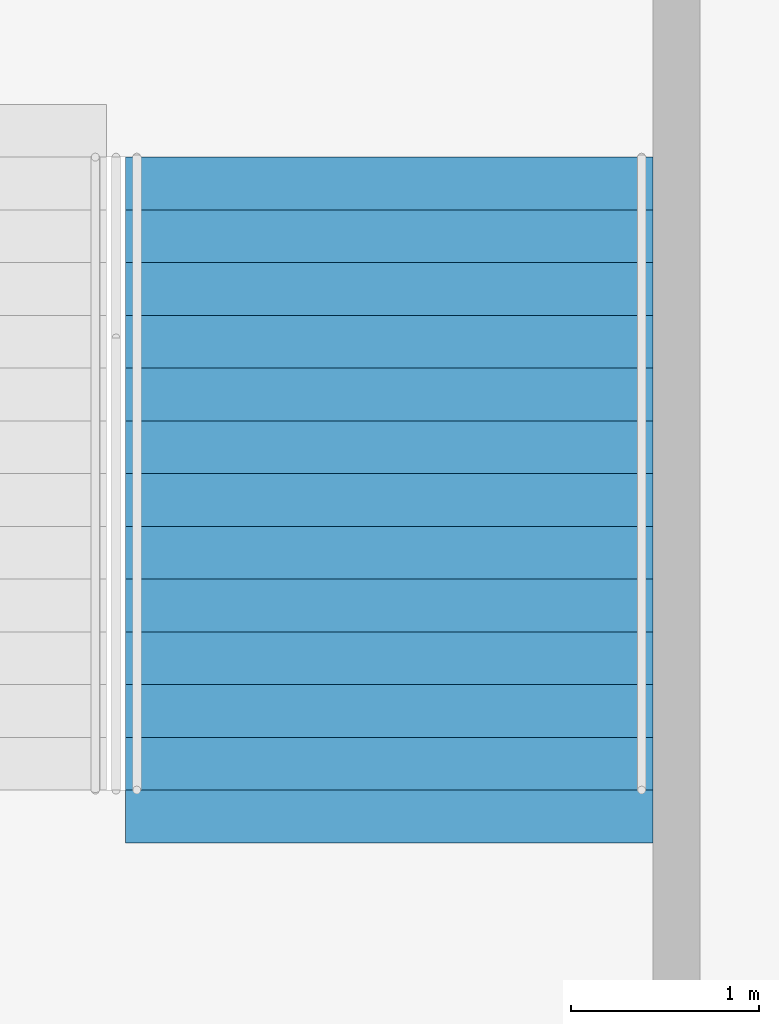
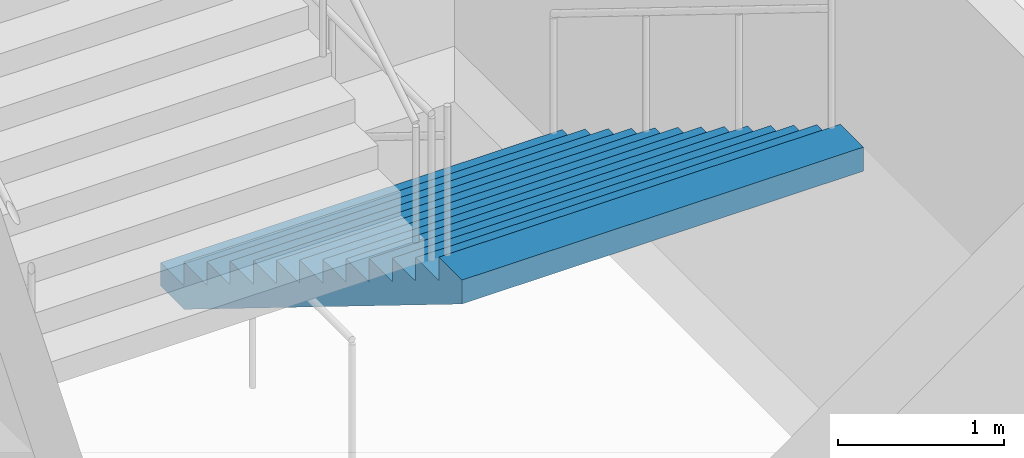
# One storey, part 120 of 199: 1 stair flight, 1 element without a shape of its own.
"""IFC4 building model written with IfcOpenShell, lengths in metres."""

from ifc_helpers import new_model, si_unit, direction, frame, origin, place, context, subcontext, project, spatial, faceted_brep, material, type_object, element, aggregate, save


model = new_model("IFC4")

# Units and contexts
model_context = context("Model", 3, precision=1e-05, world=origin(), true_north=direction((0.0, 1.0)))
body_context = subcontext(model_context, "Body", "Model", "MODEL_VIEW")
ifc_project = project(units=[si_unit("LENGTHUNIT", "METRE"), si_unit("AREAUNIT", "SQUARE_METRE"), si_unit("VOLUMEUNIT", "CUBIC_METRE"), si_unit("PLANEANGLEUNIT", "RADIAN"), si_unit("MASSUNIT", "GRAM", prefix="KILO")], contexts=[model_context])

# Site, building, storey
site_placement = place(None, origin())
site = spatial("IfcSite", under=ifc_project, at=site_placement, CompositionType="ELEMENT")
building_placement = place(site_placement, origin())
building = spatial("IfcBuilding", under=site, at=building_placement, Name="Ogive Plaza Stadium", CompositionType="ELEMENT")
storey_placement = place(building_placement, frame((0.0, 0.0, 9.0)))
storey = spatial("IfcBuildingStorey", under=building, at=storey_placement, Name="L02", CompositionType="ELEMENT", Elevation=9.0)

# Stair, stair flight
ifc_material_1 = material(Name="Concrete C40/50", Category="concrete")
stair_type = type_object("IfcStairType", Name="Exit stair", PredefinedType="STRAIGHT_RUN_STAIR", material=ifc_material_1)
stair_placement = place(storey_placement, origin())
stair = element("IfcStair", 1, at=stair_placement, inside=storey, type_object=stair_type, Name="Exit stair ST14B L02 to L03", PredefinedType="STRAIGHT_RUN_STAIR")
ifc_material_2 = material(Name="Concrete C40/50", Category="concrete")
stair_flight_type = type_object("IfcStairFlightType", Name="Exit stair flight", PredefinedType="STRAIGHT", material=ifc_material_2)
stair_flight_placement = place(storey_placement, frame((11.22509765625, -94.85009765625, 0.0), z_axis=(0.0, 0.0, 1.0), x_axis=(0.0, -1.0, 0.0)))
stair_flight = element("IfcStairFlight", 2, at=stair_flight_placement, type_object=stair_flight_type, Name="ST14B flight 1", NumberOfRisers=13, NumberOfTreads=12, PredefinedType="STRAIGHT", RiserHeight=0.173076923, TreadLength=0.28, context=body_context, shape_type="Brep", body=[
    faceted_brep([(0.28515625, -1.39990234375, 0.0), (3.639892578125, -1.39990234375, 2.07373046875), (3.639892578125, -1.39990234375, 2.25), (3.360107421875, -1.39990234375, 2.25), (3.360107421875, -1.39990234375, 2.076904296875), (3.080078125, -1.39990234375, 2.076904296875), (3.080078125, -1.39990234375, 1.90380859375), (2.800048828125, -1.39990234375, 1.90380859375), (2.800048828125, -1.39990234375, 1.730712890625), (2.52001953125, -1.39990234375, 1.730712890625), (2.52001953125, -1.39990234375, 1.5576171875), (2.239990234375, -1.39990234375, 1.5576171875), (2.239990234375, -1.39990234375, 1.384521484375), (1.9599609375, -1.39990234375, 1.384521484375), (1.9599609375, -1.39990234375, 1.21142578125), (1.679931640625, -1.39990234375, 1.21142578125), (1.679931640625, -1.39990234375, 1.03857421875), (1.39990234375, -1.39990234375, 1.03857421875), (1.39990234375, -1.39990234375, 0.865478515625), (1.1201171875, -1.39990234375, 0.865478515625), (1.1201171875, -1.39990234375, 0.6923828125), (0.840087890625, -1.39990234375, 0.6923828125), (0.840087890625, -1.39990234375, 0.519287109375), (0.56005859375, -1.39990234375, 0.519287109375), (0.56005859375, -1.39990234375, 0.34619140625), (0.280029296875, -1.39990234375, 0.34619140625), (0.280029296875, -1.39990234375, 0.173095703125), (0.0, -1.39990234375, 0.173095703125), (0.0, -1.39990234375, 0.0), (0.0, 1.39990234375, 0.0), (0.0, 1.39990234375, 0.173095703125), (0.280029296875, 1.39990234375, 0.173095703125), (0.280029296875, 1.39990234375, 0.34619140625), (0.56005859375, 1.39990234375, 0.34619140625), (0.56005859375, 1.39990234375, 0.519287109375), (0.840087890625, 1.39990234375, 0.519287109375), (0.840087890625, 1.39990234375, 0.6923828125), (1.1201171875, 1.39990234375, 0.6923828125), (1.1201171875, 1.39990234375, 0.865478515625), (1.39990234375, 1.39990234375, 0.865478515625), (1.39990234375, 1.39990234375, 1.03857421875), (1.679931640625, 1.39990234375, 1.03857421875), (1.679931640625, 1.39990234375, 1.21142578125), (1.9599609375, 1.39990234375, 1.21142578125), (1.9599609375, 1.39990234375, 1.384521484375), (2.239990234375, 1.39990234375, 1.384521484375), (2.239990234375, 1.39990234375, 1.5576171875), (2.52001953125, 1.39990234375, 1.5576171875), (2.52001953125, 1.39990234375, 1.730712890625), (2.800048828125, 1.39990234375, 1.730712890625), (2.800048828125, 1.39990234375, 1.90380859375), (3.080078125, 1.39990234375, 1.90380859375), (3.080078125, 1.39990234375, 2.076904296875), (3.360107421875, 1.39990234375, 2.076904296875), (3.360107421875, 1.39990234375, 2.25), (3.639892578125, 1.39990234375, 2.25), (3.639892578125, 1.39990234375, 2.07373046875), (0.28515625, 1.39990234375, 0.0), (0.28515625, -1.0888671875, 0.0), (3.639892578125, -1.0888671875, 2.07373046875), (0.28515625, -0.77783203125, 0.0), (3.639892578125, -0.77783203125, 2.07373046875), (0.28515625, -0.466796875, 0.0), (3.639892578125, -0.466796875, 2.07373046875), (0.28515625, -0.155517578125, 0.0), (3.639892578125, -0.155517578125, 2.07373046875), (0.28515625, 0.155517578125, 0.0), (3.639892578125, 0.155517578125, 2.07373046875), (0.28515625, 0.466796875, 0.0), (3.639892578125, 0.466796875, 2.07373046875), (0.28515625, 0.77783203125, 0.0), (3.639892578125, 0.77783203125, 2.07373046875), (0.28515625, 1.0888671875, 0.0), (3.639892578125, 1.0888671875, 2.07373046875), (3.639892578125, -1.0888671875, 2.25), (3.639892578125, -0.77783203125, 2.25), (3.639892578125, -0.466796875, 2.25), (3.639892578125, -0.155517578125, 2.25), (3.639892578125, 0.155517578125, 2.25), (3.639892578125, 0.466796875, 2.25), (3.639892578125, 0.77783203125, 2.25), (3.639892578125, 1.0888671875, 2.25), (3.360107421875, -1.0888671875, 2.25), (3.360107421875, -0.77783203125, 2.25), (3.360107421875, -0.466796875, 2.25), (3.360107421875, -0.155517578125, 2.25), (3.360107421875, 0.155517578125, 2.25), (3.360107421875, 0.466796875, 2.25), (3.360107421875, 0.77783203125, 2.25), (3.360107421875, 1.0888671875, 2.25), (3.360107421875, -1.0888671875, 2.076904296875), (3.360107421875, -0.77783203125, 2.076904296875), (3.360107421875, -0.466796875, 2.076904296875), (3.360107421875, -0.155517578125, 2.076904296875), (3.360107421875, 0.155517578125, 2.076904296875), (3.360107421875, 0.466796875, 2.076904296875), (3.360107421875, 0.77783203125, 2.076904296875), (3.360107421875, 1.0888671875, 2.076904296875), (3.080078125, -1.0888671875, 2.076904296875), (3.080078125, -0.77783203125, 2.076904296875), (3.080078125, -0.466796875, 2.076904296875), (3.080078125, -0.155517578125, 2.076904296875), (3.080078125, 0.155517578125, 2.076904296875), (3.080078125, 0.466796875, 2.076904296875), (3.080078125, 0.77783203125, 2.076904296875), (3.080078125, 1.0888671875, 2.076904296875), (3.080078125, -1.0888671875, 1.90380859375), (3.080078125, -0.77783203125, 1.90380859375), (3.080078125, -0.466796875, 1.90380859375), (3.080078125, -0.155517578125, 1.90380859375), (3.080078125, 0.155517578125, 1.90380859375), (3.080078125, 0.466796875, 1.90380859375), (3.080078125, 0.77783203125, 1.90380859375), (3.080078125, 1.0888671875, 1.90380859375), (2.800048828125, -1.0888671875, 1.90380859375), (2.800048828125, -0.77783203125, 1.90380859375), (2.800048828125, -0.466796875, 1.90380859375), (2.800048828125, -0.155517578125, 1.90380859375), (2.800048828125, 0.155517578125, 1.90380859375), (2.800048828125, 0.466796875, 1.90380859375), (2.800048828125, 0.77783203125, 1.90380859375), (2.800048828125, 1.0888671875, 1.90380859375), (2.800048828125, -1.0888671875, 1.730712890625), (2.800048828125, -0.77783203125, 1.730712890625), (2.800048828125, -0.466796875, 1.730712890625), (2.800048828125, -0.155517578125, 1.730712890625), (2.800048828125, 0.155517578125, 1.730712890625), (2.800048828125, 0.466796875, 1.730712890625), (2.800048828125, 0.77783203125, 1.730712890625), (2.800048828125, 1.0888671875, 1.730712890625), (2.52001953125, -1.0888671875, 1.730712890625), (2.52001953125, -0.77783203125, 1.730712890625), (2.52001953125, -0.466796875, 1.730712890625), (2.52001953125, -0.155517578125, 1.730712890625), (2.52001953125, 0.155517578125, 1.730712890625), (2.52001953125, 0.466796875, 1.730712890625), (2.52001953125, 0.77783203125, 1.730712890625), (2.52001953125, 1.0888671875, 1.730712890625), (2.52001953125, -1.0888671875, 1.5576171875), (2.52001953125, -0.77783203125, 1.5576171875), (2.52001953125, -0.466796875, 1.5576171875), (2.52001953125, -0.155517578125, 1.5576171875), (2.52001953125, 0.155517578125, 1.5576171875), (2.52001953125, 0.466796875, 1.5576171875), (2.52001953125, 0.77783203125, 1.5576171875), (2.52001953125, 1.0888671875, 1.5576171875), (2.239990234375, -1.0888671875, 1.5576171875), (2.239990234375, -0.77783203125, 1.5576171875), (2.239990234375, -0.466796875, 1.5576171875), (2.239990234375, -0.155517578125, 1.5576171875), (2.239990234375, 0.155517578125, 1.5576171875), (2.239990234375, 0.466796875, 1.5576171875), (2.239990234375, 0.77783203125, 1.5576171875), (2.239990234375, 1.0888671875, 1.5576171875), (2.239990234375, -1.0888671875, 1.384521484375), (2.239990234375, -0.77783203125, 1.384521484375), (2.239990234375, -0.466796875, 1.384521484375), (2.239990234375, -0.155517578125, 1.384521484375), (2.239990234375, 0.155517578125, 1.384521484375), (2.239990234375, 0.466796875, 1.384521484375), (2.239990234375, 0.77783203125, 1.384521484375), (2.239990234375, 1.0888671875, 1.384521484375), (1.9599609375, -1.0888671875, 1.384521484375), (1.9599609375, -0.77783203125, 1.384521484375), (1.9599609375, -0.466796875, 1.384521484375), (1.9599609375, -0.155517578125, 1.384521484375), (1.9599609375, 0.155517578125, 1.384521484375), (1.9599609375, 0.466796875, 1.384521484375), (1.9599609375, 0.77783203125, 1.384521484375), (1.9599609375, 1.0888671875, 1.384521484375), (1.9599609375, -1.0888671875, 1.21142578125), (1.9599609375, -0.77783203125, 1.21142578125), (1.9599609375, -0.466796875, 1.21142578125), (1.9599609375, -0.155517578125, 1.21142578125), (1.9599609375, 0.155517578125, 1.21142578125), (1.9599609375, 0.466796875, 1.21142578125), (1.9599609375, 0.77783203125, 1.21142578125), (1.9599609375, 1.0888671875, 1.21142578125), (1.679931640625, -1.0888671875, 1.21142578125), (1.679931640625, -0.77783203125, 1.21142578125), (1.679931640625, -0.466796875, 1.21142578125), (1.679931640625, -0.155517578125, 1.21142578125), (1.679931640625, 0.155517578125, 1.21142578125), (1.679931640625, 0.466796875, 1.21142578125), (1.679931640625, 0.77783203125, 1.21142578125), (1.679931640625, 1.0888671875, 1.21142578125), (1.679931640625, -1.0888671875, 1.03857421875), (1.679931640625, -0.77783203125, 1.03857421875), (1.679931640625, -0.466796875, 1.03857421875), (1.679931640625, -0.155517578125, 1.03857421875), (1.679931640625, 0.155517578125, 1.03857421875), (1.679931640625, 0.466796875, 1.03857421875), (1.679931640625, 0.77783203125, 1.03857421875), (1.679931640625, 1.0888671875, 1.03857421875), (1.39990234375, -1.0888671875, 1.03857421875), (1.39990234375, -0.77783203125, 1.03857421875), (1.39990234375, -0.466796875, 1.03857421875), (1.39990234375, -0.155517578125, 1.03857421875), (1.39990234375, 0.155517578125, 1.03857421875), (1.39990234375, 0.466796875, 1.03857421875), (1.39990234375, 0.77783203125, 1.03857421875), (1.39990234375, 1.0888671875, 1.03857421875), (1.39990234375, -1.0888671875, 0.865478515625), (1.39990234375, -0.77783203125, 0.865478515625), (1.39990234375, -0.466796875, 0.865478515625), (1.39990234375, -0.155517578125, 0.865478515625), (1.39990234375, 0.155517578125, 0.865478515625), (1.39990234375, 0.466796875, 0.865478515625), (1.39990234375, 0.77783203125, 0.865478515625), (1.39990234375, 1.0888671875, 0.865478515625), (1.1201171875, -1.0888671875, 0.865478515625), (1.1201171875, -0.77783203125, 0.865478515625), (1.1201171875, -0.466796875, 0.865478515625), (1.1201171875, -0.155517578125, 0.865478515625), (1.1201171875, 0.155517578125, 0.865478515625), (1.1201171875, 0.466796875, 0.865478515625), (1.1201171875, 0.77783203125, 0.865478515625), (1.1201171875, 1.0888671875, 0.865478515625), (1.1201171875, -1.0888671875, 0.6923828125), (1.1201171875, -0.77783203125, 0.6923828125), (1.1201171875, -0.466796875, 0.6923828125), (1.1201171875, -0.155517578125, 0.6923828125), (1.1201171875, 0.155517578125, 0.6923828125), (1.1201171875, 0.466796875, 0.6923828125), (1.1201171875, 0.77783203125, 0.6923828125), (1.1201171875, 1.0888671875, 0.6923828125), (0.840087890625, -1.0888671875, 0.6923828125), (0.840087890625, -0.77783203125, 0.6923828125), (0.840087890625, -0.466796875, 0.6923828125), (0.840087890625, -0.155517578125, 0.6923828125), (0.840087890625, 0.155517578125, 0.6923828125), (0.840087890625, 0.466796875, 0.6923828125), (0.840087890625, 0.77783203125, 0.6923828125), (0.840087890625, 1.0888671875, 0.6923828125), (0.840087890625, -1.0888671875, 0.519287109375), (0.840087890625, -0.77783203125, 0.519287109375), (0.840087890625, -0.466796875, 0.519287109375), (0.840087890625, -0.155517578125, 0.519287109375), (0.840087890625, 0.155517578125, 0.519287109375), (0.840087890625, 0.466796875, 0.519287109375), (0.840087890625, 0.77783203125, 0.519287109375), (0.840087890625, 1.0888671875, 0.519287109375), (0.56005859375, -1.0888671875, 0.519287109375), (0.56005859375, -0.77783203125, 0.519287109375), (0.56005859375, -0.466796875, 0.519287109375), (0.56005859375, -0.155517578125, 0.519287109375), (0.56005859375, 0.155517578125, 0.519287109375), (0.56005859375, 0.466796875, 0.519287109375), (0.56005859375, 0.77783203125, 0.519287109375), (0.56005859375, 1.0888671875, 0.519287109375), (0.56005859375, -1.0888671875, 0.34619140625), (0.56005859375, -0.77783203125, 0.34619140625), (0.56005859375, -0.466796875, 0.34619140625), (0.56005859375, -0.155517578125, 0.34619140625), (0.56005859375, 0.155517578125, 0.34619140625), (0.56005859375, 0.466796875, 0.34619140625), (0.56005859375, 0.77783203125, 0.34619140625), (0.56005859375, 1.0888671875, 0.34619140625), (0.280029296875, -1.0888671875, 0.34619140625), (0.280029296875, -0.77783203125, 0.34619140625), (0.280029296875, -0.466796875, 0.34619140625), (0.280029296875, -0.155517578125, 0.34619140625), (0.280029296875, 0.155517578125, 0.34619140625), (0.280029296875, 0.466796875, 0.34619140625), (0.280029296875, 0.77783203125, 0.34619140625), (0.280029296875, 1.0888671875, 0.34619140625), (0.280029296875, -1.0888671875, 0.173095703125), (0.280029296875, -0.77783203125, 0.173095703125), (0.280029296875, -0.466796875, 0.173095703125), (0.280029296875, -0.155517578125, 0.173095703125), (0.280029296875, 0.155517578125, 0.173095703125), (0.280029296875, 0.466796875, 0.173095703125), (0.280029296875, 0.77783203125, 0.173095703125), (0.280029296875, 1.0888671875, 0.173095703125), (0.0, -1.0888671875, 0.173095703125), (0.0, -0.77783203125, 0.173095703125), (0.0, -0.466796875, 0.173095703125), (0.0, -0.155517578125, 0.173095703125), (0.0, 0.155517578125, 0.173095703125), (0.0, 0.466796875, 0.173095703125), (0.0, 0.77783203125, 0.173095703125), (0.0, 1.0888671875, 0.173095703125), (0.0, -1.0888671875, 0.0), (0.0, -0.77783203125, 0.0), (0.0, -0.466796875, 0.0), (0.0, -0.155517578125, 0.0), (0.0, 0.155517578125, 0.0), (0.0, 0.466796875, 0.0), (0.0, 0.77783203125, 0.0), (0.0, 1.0888671875, 0.0)], [[[0, 1, 2, 3, 4, 5, 6, 7, 8, 9, 10, 11, 12, 13, 14, 15, 16, 17, 18, 19, 20, 21, 22, 23, 24, 25, 26, 27, 28]], [[29, 30, 31, 32, 33, 34, 35, 36, 37, 38, 39, 40, 41, 42, 43, 44, 45, 46, 47, 48, 49, 50, 51, 52, 53, 54, 55, 56, 57]], [[0, 58, 59, 1]], [[58, 60, 61, 59]], [[60, 62, 63, 61]], [[62, 64, 65, 63]], [[64, 66, 67, 65]], [[66, 68, 69, 67]], [[68, 70, 71, 69]], [[70, 72, 73, 71]], [[72, 57, 56, 73]], [[1, 59, 74, 2]], [[59, 61, 75, 74]], [[61, 63, 76, 75]], [[63, 65, 77, 76]], [[65, 67, 78, 77]], [[67, 69, 79, 78]], [[69, 71, 80, 79]], [[71, 73, 81, 80]], [[73, 56, 55, 81]], [[2, 74, 82, 3]], [[74, 75, 83, 82]], [[75, 76, 84, 83]], [[76, 77, 85, 84]], [[77, 78, 86, 85]], [[78, 79, 87, 86]], [[79, 80, 88, 87]], [[80, 81, 89, 88]], [[81, 55, 54, 89]], [[3, 82, 90, 4]], [[82, 83, 91, 90]], [[83, 84, 92, 91]], [[84, 85, 93, 92]], [[85, 86, 94, 93]], [[86, 87, 95, 94]], [[87, 88, 96, 95]], [[88, 89, 97, 96]], [[89, 54, 53, 97]], [[4, 90, 98, 5]], [[90, 91, 99, 98]], [[91, 92, 100, 99]], [[92, 93, 101, 100]], [[93, 94, 102, 101]], [[94, 95, 103, 102]], [[95, 96, 104, 103]], [[96, 97, 105, 104]], [[97, 53, 52, 105]], [[5, 98, 106, 6]], [[98, 99, 107, 106]], [[99, 100, 108, 107]], [[100, 101, 109, 108]], [[101, 102, 110, 109]], [[102, 103, 111, 110]], [[103, 104, 112, 111]], [[104, 105, 113, 112]], [[105, 52, 51, 113]], [[6, 106, 114, 7]], [[106, 107, 115, 114]], [[107, 108, 116, 115]], [[108, 109, 117, 116]], [[109, 110, 118, 117]], [[110, 111, 119, 118]], [[111, 112, 120, 119]], [[112, 113, 121, 120]], [[113, 51, 50, 121]], [[7, 114, 122, 8]], [[114, 115, 123, 122]], [[115, 116, 124, 123]], [[116, 117, 125, 124]], [[117, 118, 126, 125]], [[118, 119, 127, 126]], [[119, 120, 128, 127]], [[120, 121, 129, 128]], [[121, 50, 49, 129]], [[8, 122, 130, 9]], [[122, 123, 131, 130]], [[123, 124, 132, 131]], [[124, 125, 133, 132]], [[125, 126, 134, 133]], [[126, 127, 135, 134]], [[127, 128, 136, 135]], [[128, 129, 137, 136]], [[129, 49, 48, 137]], [[9, 130, 138, 10]], [[130, 131, 139, 138]], [[131, 132, 140, 139]], [[132, 133, 141, 140]], [[133, 134, 142, 141]], [[134, 135, 143, 142]], [[135, 136, 144, 143]], [[136, 137, 145, 144]], [[137, 48, 47, 145]], [[10, 138, 146, 11]], [[138, 139, 147, 146]], [[139, 140, 148, 147]], [[140, 141, 149, 148]], [[141, 142, 150, 149]], [[142, 143, 151, 150]], [[143, 144, 152, 151]], [[144, 145, 153, 152]], [[145, 47, 46, 153]], [[11, 146, 154, 12]], [[146, 147, 155, 154]], [[147, 148, 156, 155]], [[148, 149, 157, 156]], [[149, 150, 158, 157]], [[150, 151, 159, 158]], [[151, 152, 160, 159]], [[152, 153, 161, 160]], [[153, 46, 45, 161]], [[12, 154, 162, 13]], [[154, 155, 163, 162]], [[155, 156, 164, 163]], [[156, 157, 165, 164]], [[157, 158, 166, 165]], [[158, 159, 167, 166]], [[159, 160, 168, 167]], [[160, 161, 169, 168]], [[161, 45, 44, 169]], [[13, 162, 170, 14]], [[162, 163, 171, 170]], [[163, 164, 172, 171]], [[164, 165, 173, 172]], [[165, 166, 174, 173]], [[166, 167, 175, 174]], [[167, 168, 176, 175]], [[168, 169, 177, 176]], [[169, 44, 43, 177]], [[14, 170, 178, 15]], [[170, 171, 179, 178]], [[171, 172, 180, 179]], [[172, 173, 181, 180]], [[173, 174, 182, 181]], [[174, 175, 183, 182]], [[175, 176, 184, 183]], [[176, 177, 185, 184]], [[177, 43, 42, 185]], [[15, 178, 186, 16]], [[178, 179, 187, 186]], [[179, 180, 188, 187]], [[180, 181, 189, 188]], [[181, 182, 190, 189]], [[182, 183, 191, 190]], [[183, 184, 192, 191]], [[184, 185, 193, 192]], [[185, 42, 41, 193]], [[16, 186, 194, 17]], [[186, 187, 195, 194]], [[187, 188, 196, 195]], [[188, 189, 197, 196]], [[189, 190, 198, 197]], [[190, 191, 199, 198]], [[191, 192, 200, 199]], [[192, 193, 201, 200]], [[193, 41, 40, 201]], [[17, 194, 202, 18]], [[194, 195, 203, 202]], [[195, 196, 204, 203]], [[196, 197, 205, 204]], [[197, 198, 206, 205]], [[198, 199, 207, 206]], [[199, 200, 208, 207]], [[200, 201, 209, 208]], [[201, 40, 39, 209]], [[18, 202, 210, 19]], [[202, 203, 211, 210]], [[203, 204, 212, 211]], [[204, 205, 213, 212]], [[205, 206, 214, 213]], [[206, 207, 215, 214]], [[207, 208, 216, 215]], [[208, 209, 217, 216]], [[209, 39, 38, 217]], [[19, 210, 218, 20]], [[210, 211, 219, 218]], [[211, 212, 220, 219]], [[212, 213, 221, 220]], [[213, 214, 222, 221]], [[214, 215, 223, 222]], [[215, 216, 224, 223]], [[216, 217, 225, 224]], [[217, 38, 37, 225]], [[20, 218, 226, 21]], [[218, 219, 227, 226]], [[219, 220, 228, 227]], [[220, 221, 229, 228]], [[221, 222, 230, 229]], [[222, 223, 231, 230]], [[223, 224, 232, 231]], [[224, 225, 233, 232]], [[225, 37, 36, 233]], [[21, 226, 234, 22]], [[226, 227, 235, 234]], [[227, 228, 236, 235]], [[228, 229, 237, 236]], [[229, 230, 238, 237]], [[230, 231, 239, 238]], [[231, 232, 240, 239]], [[232, 233, 241, 240]], [[233, 36, 35, 241]], [[22, 234, 242, 23]], [[234, 235, 243, 242]], [[235, 236, 244, 243]], [[236, 237, 245, 244]], [[237, 238, 246, 245]], [[238, 239, 247, 246]], [[239, 240, 248, 247]], [[240, 241, 249, 248]], [[241, 35, 34, 249]], [[23, 242, 250, 24]], [[242, 243, 251, 250]], [[243, 244, 252, 251]], [[244, 245, 253, 252]], [[245, 246, 254, 253]], [[246, 247, 255, 254]], [[247, 248, 256, 255]], [[248, 249, 257, 256]], [[249, 34, 33, 257]], [[24, 250, 258, 25]], [[250, 251, 259, 258]], [[251, 252, 260, 259]], [[252, 253, 261, 260]], [[253, 254, 262, 261]], [[254, 255, 263, 262]], [[255, 256, 264, 263]], [[256, 257, 265, 264]], [[257, 33, 32, 265]], [[25, 258, 266, 26]], [[258, 259, 267, 266]], [[259, 260, 268, 267]], [[260, 261, 269, 268]], [[261, 262, 270, 269]], [[262, 263, 271, 270]], [[263, 264, 272, 271]], [[264, 265, 273, 272]], [[265, 32, 31, 273]], [[26, 266, 274, 27]], [[266, 267, 275, 274]], [[267, 268, 276, 275]], [[268, 269, 277, 276]], [[269, 270, 278, 277]], [[270, 271, 279, 278]], [[271, 272, 280, 279]], [[272, 273, 281, 280]], [[273, 31, 30, 281]], [[27, 274, 282, 28]], [[274, 275, 283, 282]], [[275, 276, 284, 283]], [[276, 277, 285, 284]], [[277, 278, 286, 285]], [[278, 279, 287, 286]], [[279, 280, 288, 287]], [[280, 281, 289, 288]], [[281, 30, 29, 289]], [[28, 282, 58, 0]], [[282, 283, 60, 58]], [[283, 284, 62, 60]], [[284, 285, 64, 62]], [[285, 286, 66, 64]], [[286, 287, 68, 66]], [[287, 288, 70, 68]], [[288, 289, 72, 70]], [[289, 29, 57, 72]]]),
])
aggregate(stair, [stair_flight])

save(model, "model.ifc")
